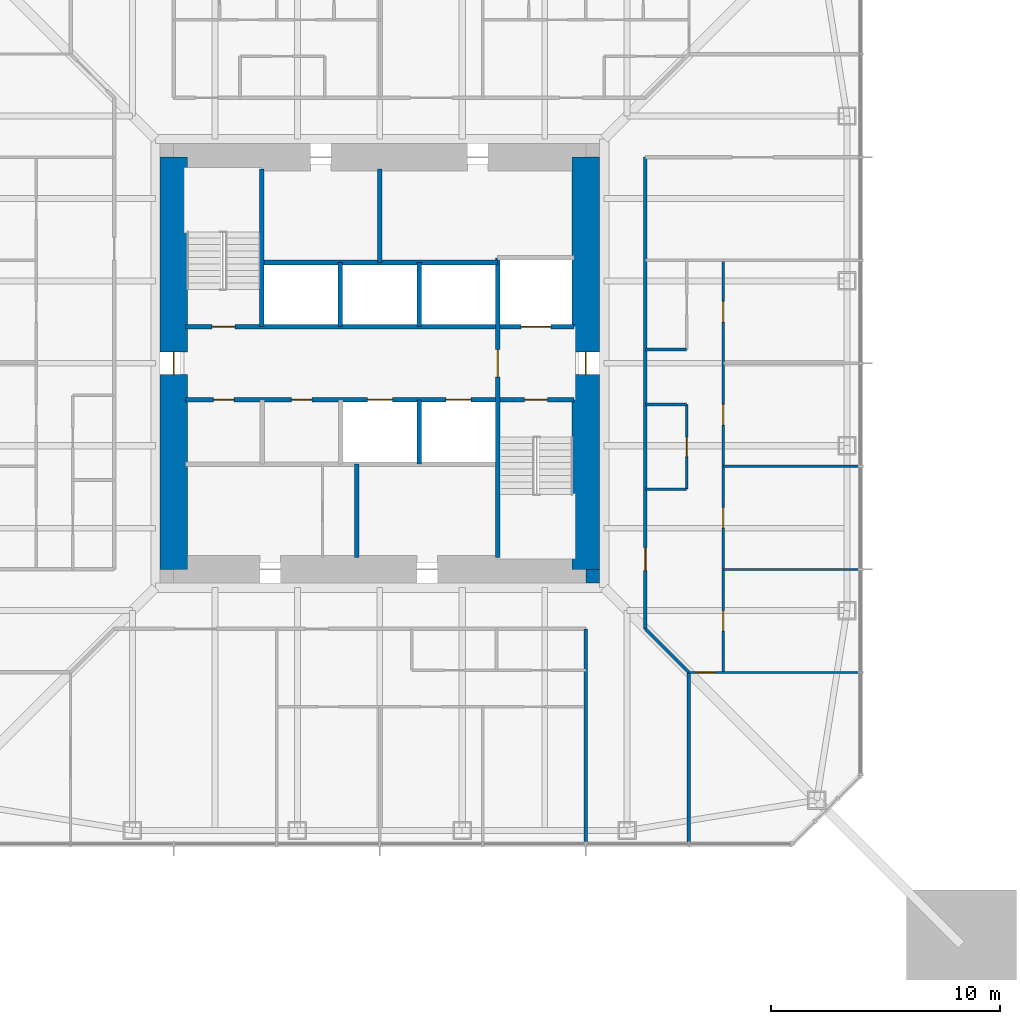
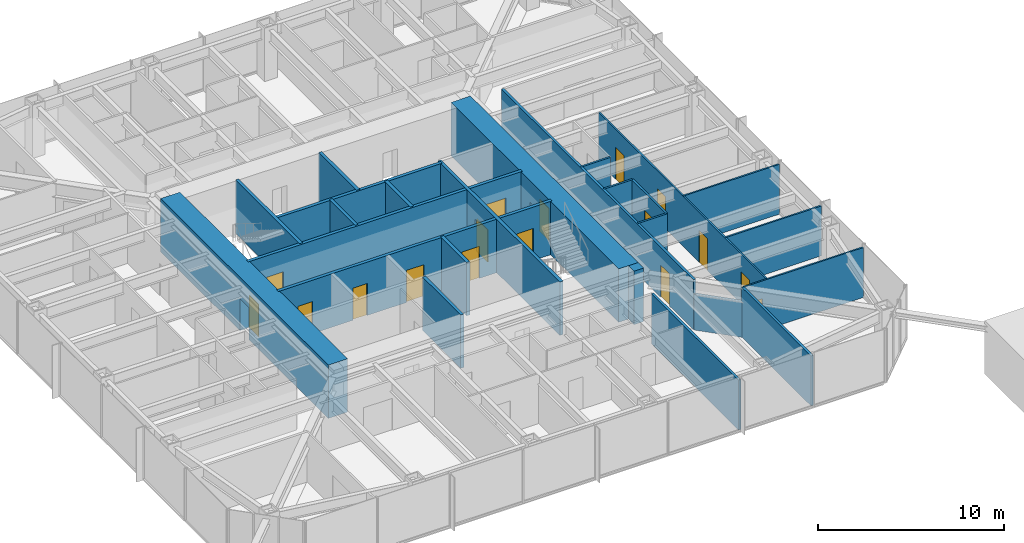
# One storey, part 14 of 25: 25 walls, 17 doors, 17 openings.
"""IFC4 building model written with IfcOpenShell, lengths in metres."""

from ifc_helpers import new_model, si_unit, direction, frame, frame_2d, origin, place, context, subcontext, project, spatial, rectangle, extrude, material, layer, layer_set, type_object, element, fill, save


model = new_model("IFC4")

# Units and contexts
model_context = context("Model", 3, precision=1e-05, world=origin(), true_north=direction((0.0, 1.0)))
body_context = subcontext(model_context, "Body", "Model", "MODEL_VIEW")
ifc_project = project(units=[si_unit("LENGTHUNIT", "METRE"), si_unit("AREAUNIT", "SQUARE_METRE"), si_unit("VOLUMEUNIT", "CUBIC_METRE"), si_unit("PLANEANGLEUNIT", "RADIAN"), si_unit("MASSUNIT", "GRAM", prefix="KILO")], contexts=[model_context])

# Site, building, storey
site_placement = place(None, origin())
site = spatial("IfcSite", under=ifc_project, at=site_placement, CompositionType="ELEMENT")
building_placement = place(site_placement, origin())
building = spatial("IfcBuilding", under=site, at=building_placement, Name="Iwan Alto Co-Living Towers", CompositionType="ELEMENT")
storey_placement = place(building_placement, frame((0.0, 0.0, 108.5)))
storey = spatial("IfcBuildingStorey", under=building, at=storey_placement, Name="L29", CompositionType="ELEMENT", Elevation=108.5)

# Wall
ifc_material_1 = material(Name="Gypsum board")
ifc_layer_1 = layer(ifc_material_1, 0.02490234375, Name="Board", Category="Finish")
ifc_material_2 = material(Name="Steel ASTM A1003 ST33H cold-formed studs", Category="steel")
ifc_layer_2 = layer(ifc_material_2, 0.10009765625, Name="Studs", Category="Framing")
ifc_layer_3 = layer(ifc_material_1, 0.02490234375, Name="Board", Category="Finish")
ifc_layer_set_1 = layer_set([ifc_layer_1, ifc_layer_2, ifc_layer_3], Name="CORRIDOR WALL 150")
wall_type_1 = type_object("IfcWallType", Name="CORRIDOR WALL 150", PredefinedType="PARTITIONING", material=ifc_layer_set_1)
wall_1_placement = place(storey_placement, frame((13.5, -20.93994140625, 0.0), z_axis=(0.0, 0.0, 1.0), x_axis=(0.0, 1.0, 0.0)))
element("IfcWall", 1, at=wall_1_placement, inside=storey, type_object=wall_type_1, Name="Partition L29", PredefinedType="PARTITIONING", context=body_context, shape_type="SweptSolid", body=[
    extrude(rectangle(XDim=7.43994140625, YDim=0.14990234375, at=frame_2d((3.719970703125, 0.0))), origin(), (0.0, 0.0, 1.0), 3.27001953125),
])

# Wall, opening, door
wall_2_placement = place(storey_placement, frame((11.60009765625, -11.60009765625, 0.0), z_axis=(0.0, 0.0, 1.0), x_axis=(0.0, 1.0, 0.0)))
wall_2 = element("IfcWall", 2, at=wall_2_placement, inside=storey, type_object=wall_type_1, Name="Partition L29", PredefinedType="PARTITIONING", context=body_context, shape_type="SweptSolid", body=[
    extrude(rectangle(XDim=20.60009765625, YDim=0.14990234375, at=frame_2d((10.300048828125, 0.0))), origin(), (0.0, 0.0, 1.0), 3.27001953125),
])
opening_1_placement = place(wall_2_placement, frame((2.550048828125, 0.0, 0.0)))
opening_1 = element("IfcOpeningElement", 3, at=opening_1_placement, cuts=wall_2, Name="Opening D3", PredefinedType="OPENING", context=body_context, shape_type="SweptSolid", body=[
    extrude(rectangle(XDim=1.0, YDim=2.10009765625, at=frame_2d((0.5, 1.050048828125))), frame((0.0, 0.0849609375, 0.0), z_axis=(0.0, -1.0, 0.0), x_axis=(1.0, 0.0, 0.0)), (0.0, 0.0, 1.0), 0.169921875),
])
ifc_material_3 = material(Name="Steel frame with timber leaf", Category="steel")
door_type_1 = type_object("IfcDoorType", Name="FLAT ENTRANCE DOOR FD30S 1000X2100", OperationType="SINGLE_SWING_LEFT", PredefinedType="DOOR", material=ifc_material_3)
door_1_placement = place(opening_1_placement, frame((1.0, 0.0, 0.0), z_axis=(0.0, 0.0, 1.0), x_axis=(-1.0, 0.0, 0.0)))
door_1 = element("IfcDoor", 4, at=door_1_placement, inside=storey, type_object=door_type_1, Name="Cluster lounge door L29", OperationType="SINGLE_SWING_LEFT", OverallHeight=2.10009765625, OverallWidth=1.0, PredefinedType="DOOR", context=body_context, shape_type="SweptSolid", body=[
    extrude(rectangle(XDim=1.0, YDim=2.10009765625, at=frame_2d((0.5, 1.050048828125))), frame((0.0, 0.02490234375, 0.0), z_axis=(0.0, -1.0, 0.0), x_axis=(1.0, 0.0, 0.0)), (0.0, 0.0, 1.0), 0.050048828125),
])
fill(opening_1, door_1)

# Walls
wall_3_placement = place(storey_placement, frame((9.0, -20.93994140625, 0.0), z_axis=(0.0, 0.0, 1.0), x_axis=(0.0, 1.0, 0.0)))
element("IfcWall", 5, at=wall_3_placement, inside=storey, type_object=wall_type_1, Name="Partition L29", PredefinedType="PARTITIONING", context=body_context, shape_type="SweptSolid", body=[
    extrude(rectangle(XDim=9.33984375, YDim=0.14990234375, at=frame_2d((4.669921875, 0.0))), origin(), (0.0, 0.0, 1.0), 3.27001953125),
])
wall_4_placement = place(storey_placement, frame((13.5, -13.5, 0.0), z_axis=(0.0, 0.0, 1.0), x_axis=(-0.707106781187, 0.707106781187, 0.0)))
element("IfcWall", 6, at=wall_4_placement, inside=storey, type_object=wall_type_1, Name="Partition L29", PredefinedType="PARTITIONING", context=body_context, shape_type="SweptSolid", body=[
    extrude(rectangle(XDim=2.686767578125, YDim=0.14990234375, at=frame_2d((1.34326171875, 0.0))), origin(), (0.0, 0.0, 1.0), 2.343017578125),
])

# Wall, opening, door
ifc_layer_4 = layer(ifc_material_1, 0.012451171875, Name="Board", Category="Finish")
ifc_layer_5 = layer(ifc_material_2, 0.074951171875, Name="Studs", Category="Framing")
ifc_layer_6 = layer(ifc_material_1, 0.012451171875, Name="Board", Category="Finish")
ifc_layer_set_2 = layer_set([ifc_layer_4, ifc_layer_5, ifc_layer_6], Name="PARTITION 100")
wall_type_2 = type_object("IfcWallType", Name="PARTITION 100", PredefinedType="PARTITIONING", material=ifc_layer_set_2)
wall_5_placement = place(storey_placement, frame((13.5, -13.5, 0.0), z_axis=(0.0, 0.0, 1.0), x_axis=(1.0, 0.0, 0.0)))
wall_5 = element("IfcWall", 7, at=wall_5_placement, inside=storey, type_object=wall_type_2, Name="Partition L29", PredefinedType="PARTITIONING", context=body_context, shape_type="SweptSolid", body=[
    extrude(rectangle(XDim=7.43994140625, YDim=0.10009765625, at=frame_2d((3.719970703125, 0.0))), origin(), (0.0, 0.0, 1.0), 3.27001953125),
])
opening_2_placement = place(wall_5_placement, frame((0.324951171875, 0.0, 0.0)))
opening_2 = element("IfcOpeningElement", 8, at=opening_2_placement, cuts=wall_5, Name="Opening D2", PredefinedType="OPENING", context=body_context, shape_type="SweptSolid", body=[
    extrude(rectangle(XDim=0.85009765625, YDim=2.10009765625, at=frame_2d((0.425048828125, 1.050048828125))), frame((0.0, 0.06005859375, 0.0), z_axis=(0.0, -1.0, 0.0), x_axis=(1.0, 0.0, 0.0)), (0.0, 0.0, 1.0), 0.1201171875),
])
ifc_material_4 = material(Name="Timber leaf in steel frame", Category="steel")
door_type_2 = type_object("IfcDoorType", Name="ROOM DOOR 850X2100", OperationType="SINGLE_SWING_LEFT", PredefinedType="DOOR", material=ifc_material_4)
door_2_placement = place(opening_2_placement, frame((0.85009765625, 0.0, 0.0), z_axis=(0.0, 0.0, 1.0), x_axis=(-1.0, 0.0, 0.0)))
door_2 = element("IfcDoor", 9, at=door_2_placement, inside=storey, type_object=door_type_2, Name="Shared kitchen and lounge door L29", OperationType="SINGLE_SWING_RIGHT", OverallHeight=2.10009765625, OverallWidth=0.85009765625, PredefinedType="DOOR", context=body_context, shape_type="SweptSolid", body=[
    extrude(rectangle(XDim=0.85009765625, YDim=2.10009765625, at=frame_2d((0.425048828125, 1.050048828125))), frame((0.0, 0.02490234375, 0.0), z_axis=(0.0, -1.0, 0.0), x_axis=(1.0, 0.0, 0.0)), (0.0, 0.0, 1.0), 0.050048828125),
])
fill(opening_2, door_2)

# Walls
for number, where, z_axis, x_axis, name in (
    (10, (15.0, -9.0, 0.0), (0.0, 0.0, 1.0), (1.0, 0.0, 0.0), "Partition L29"),
    (11, (15.0, -4.5, 0.0), (0.0, 0.0, 1.0), (1.0, 0.0, 0.0), "Partition L29"),
):
    element("IfcWall", number, at=place(storey_placement, frame(where, z_axis=z_axis, x_axis=x_axis)), inside=storey, type_object=wall_type_2, Name=name, PredefinedType="PARTITIONING", context=body_context, shape_type="SweptSolid", body=[
        extrude(rectangle(XDim=5.93994140625, YDim=0.10009765625, at=frame_2d((2.969970703125, 0.0))), origin(), (0.0, 0.0, 1.0), 3.27001953125),
    ])

# Wall, openings, doors
wall_6_placement = place(storey_placement, frame((15.0, -13.5, 0.0), z_axis=(0.0, 0.0, 1.0), x_axis=(0.0, 1.0, 0.0)))
wall_6 = element("IfcWall", 12, at=wall_6_placement, inside=storey, type_object=wall_type_2, Name="Partition L29", PredefinedType="PARTITIONING", context=body_context, shape_type="SweptSolid", body=[
    extrude(rectangle(XDim=18.0, YDim=0.10009765625, at=frame_2d((9.0, 0.0))), origin(), (0.0, 0.0, 1.0), 3.27001953125),
])
opening_3_placement = place(wall_6_placement, frame((1.800048828125, 0.0, 0.0)))
opening_3 = element("IfcOpeningElement", 13, at=opening_3_placement, cuts=wall_6, Name="Opening D1", PredefinedType="OPENING", context=body_context, shape_type="SweptSolid", body=[
    extrude(rectangle(XDim=0.89990234375, YDim=2.10009765625, at=frame_2d((0.449951171875, 1.050048828125))), frame((0.0, 0.06005859375, 0.0), z_axis=(0.0, -1.0, 0.0), x_axis=(1.0, 0.0, 0.0)), (0.0, 0.0, 1.0), 0.1201171875),
])
opening_4_placement = place(wall_6_placement, frame((6.300048828125, 0.0, 0.0)))
opening_4 = element("IfcOpeningElement", 14, at=opening_4_placement, cuts=wall_6, Name="Opening D1", PredefinedType="OPENING", context=body_context, shape_type="SweptSolid", body=[
    extrude(rectangle(XDim=0.89990234375, YDim=2.10009765625, at=frame_2d((0.449951171875, 1.050048828125))), frame((0.0, 0.06005859375, 0.0), z_axis=(0.0, -1.0, 0.0), x_axis=(1.0, 0.0, 0.0)), (0.0, 0.0, 1.0), 0.1201171875),
])
opening_5_placement = place(wall_6_placement, frame((10.800048828125, 0.0, 0.0)))
opening_5 = element("IfcOpeningElement", 15, at=opening_5_placement, cuts=wall_6, Name="Opening D1", PredefinedType="OPENING", context=body_context, shape_type="SweptSolid", body=[
    extrude(rectangle(XDim=0.89990234375, YDim=2.10009765625, at=frame_2d((0.449951171875, 1.050048828125))), frame((0.0, 0.06005859375, 0.0), z_axis=(0.0, -1.0, 0.0), x_axis=(1.0, 0.0, 0.0)), (0.0, 0.0, 1.0), 0.1201171875),
])
opening_6_placement = place(wall_6_placement, frame((15.300048828125, 0.0, 0.0)))
opening_6 = element("IfcOpeningElement", 16, at=opening_6_placement, cuts=wall_6, Name="Opening D1", PredefinedType="OPENING", context=body_context, shape_type="SweptSolid", body=[
    extrude(rectangle(XDim=0.89990234375, YDim=2.10009765625, at=frame_2d((0.449951171875, 1.050048828125))), frame((0.0, 0.06005859375, 0.0), z_axis=(0.0, -1.0, 0.0), x_axis=(1.0, 0.0, 0.0)), (0.0, 0.0, 1.0), 0.1201171875),
])
ifc_material_5 = material(Name="Timber leaf in steel frame", Category="steel")
door_type_3 = type_object("IfcDoorType", Name="BEDROOM DOOR 900X2100", OperationType="SINGLE_SWING_LEFT", PredefinedType="DOOR", material=ifc_material_5)
door_3_placement = place(opening_3_placement, origin())
door_3 = element("IfcDoor", 17, at=door_3_placement, inside=storey, type_object=door_type_3, Name="Study bedroom door L29", OperationType="SINGLE_SWING_LEFT", OverallHeight=2.10009765625, OverallWidth=0.89990234375, PredefinedType="DOOR", context=body_context, shape_type="SweptSolid", body=[
    extrude(rectangle(XDim=0.89990234375, YDim=2.10009765625, at=frame_2d((0.449951171875, 1.050048828125))), frame((0.0, 0.02490234375, 0.0), z_axis=(0.0, -1.0, 0.0), x_axis=(1.0, 0.0, 0.0)), (0.0, 0.0, 1.0), 0.050048828125),
])
fill(opening_3, door_3)
door_4_placement = place(opening_4_placement, origin())
door_4 = element("IfcDoor", 18, at=door_4_placement, inside=storey, type_object=door_type_3, Name="Study bedroom door L29", OperationType="SINGLE_SWING_LEFT", OverallHeight=2.10009765625, OverallWidth=0.89990234375, PredefinedType="DOOR", context=body_context, shape_type="SweptSolid", body=[
    extrude(rectangle(XDim=0.89990234375, YDim=2.10009765625, at=frame_2d((0.449951171875, 1.050048828125))), frame((0.0, 0.02490234375, 0.0), z_axis=(0.0, -1.0, 0.0), x_axis=(1.0, 0.0, 0.0)), (0.0, 0.0, 1.0), 0.050048828125),
])
fill(opening_4, door_4)
door_5_placement = place(opening_5_placement, origin())
door_5 = element("IfcDoor", 19, at=door_5_placement, inside=storey, type_object=door_type_3, Name="Study bedroom door L29", OperationType="SINGLE_SWING_RIGHT", OverallHeight=2.10009765625, OverallWidth=0.89990234375, PredefinedType="DOOR", context=body_context, shape_type="SweptSolid", body=[
    extrude(rectangle(XDim=0.89990234375, YDim=2.10009765625, at=frame_2d((0.449951171875, 1.050048828125))), frame((0.0, 0.02490234375, 0.0), z_axis=(0.0, -1.0, 0.0), x_axis=(1.0, 0.0, 0.0)), (0.0, 0.0, 1.0), 0.050048828125),
])
fill(opening_5, door_5)
door_6_placement = place(opening_6_placement, origin())
door_6 = element("IfcDoor", 20, at=door_6_placement, inside=storey, type_object=door_type_3, Name="Study bedroom door L29", OperationType="SINGLE_SWING_RIGHT", OverallHeight=2.10009765625, OverallWidth=0.89990234375, PredefinedType="DOOR", context=body_context, shape_type="SweptSolid", body=[
    extrude(rectangle(XDim=0.89990234375, YDim=2.10009765625, at=frame_2d((0.449951171875, 1.050048828125))), frame((0.0, 0.02490234375, 0.0), z_axis=(0.0, -1.0, 0.0), x_axis=(1.0, 0.0, 0.0)), (0.0, 0.0, 1.0), 0.050048828125),
])
fill(opening_6, door_6)

ifc_material_6 = material(Name="Concrete f'c 70 MPa", Category="concrete")
ifc_layer_7 = layer(ifc_material_6, 0.199951171875)
ifc_layer_set_3 = layer_set([ifc_layer_7], Name="SHAFT WALL 200")
wall_type_3 = type_object("IfcWallType", Name="SHAFT WALL 200", PredefinedType="SOLIDWALL", material=ifc_layer_set_3)
wall_7_placement = place(storey_placement, frame((-8.489990234375, -1.60009765625, 0.0), z_axis=(0.0, 0.0, 1.0), x_axis=(1.0, 0.0, 0.0)))
wall_7 = element("IfcWall", 21, at=wall_7_placement, inside=storey, type_object=wall_type_3, Name="Shaft wall L29", PredefinedType="SOLIDWALL", context=body_context, shape_type="SweptSolid", body=[
    extrude(rectangle(XDim=16.97998046875, YDim=0.199951171875, at=frame_2d((8.489990234375, 0.0))), origin(), (0.0, 0.0, 1.0), 3.5),
])
opening_7_placement = place(wall_7_placement, frame((14.81005859375, 0.0, 0.0)))
opening_7 = element("IfcOpeningElement", 22, at=opening_7_placement, cuts=wall_7, Name="Opening D5", PredefinedType="OPENING", context=body_context, shape_type="SweptSolid", body=[
    extrude(rectangle(XDim=1.0, YDim=2.10009765625, at=frame_2d((0.5, 1.050048828125))), frame((0.0, 0.10986328125, 0.0), z_axis=(0.0, -1.0, 0.0), x_axis=(1.0, 0.0, 0.0)), (0.0, 0.0, 1.0), 0.219970703125),
])
opening_8_placement = place(wall_7_placement, frame((1.23193359375, 0.0, 0.0)))
opening_8 = element("IfcOpeningElement", 23, at=opening_8_placement, cuts=wall_7, Name="Opening D15", PredefinedType="OPENING", context=body_context, shape_type="SweptSolid", body=[
    extrude(rectangle(XDim=0.89990234375, YDim=2.10009765625, at=frame_2d((0.449951171875, 1.050048828125))), frame((0.0, 0.10986328125, 0.0), z_axis=(0.0, -1.0, 0.0), x_axis=(1.0, 0.0, 0.0)), (0.0, 0.0, 1.0), 0.219970703125),
])
opening_9_placement = place(wall_7_placement, frame((4.626953125, 0.0, 0.0)))
opening_9 = element("IfcOpeningElement", 24, at=opening_9_placement, cuts=wall_7, Name="Opening D15", PredefinedType="OPENING", context=body_context, shape_type="SweptSolid", body=[
    extrude(rectangle(XDim=0.89990234375, YDim=2.10009765625, at=frame_2d((0.449951171875, 1.050048828125))), frame((0.0, 0.10986328125, 0.0), z_axis=(0.0, -1.0, 0.0), x_axis=(1.0, 0.0, 0.0)), (0.0, 0.0, 1.0), 0.219970703125),
])
opening_10_placement = place(wall_7_placement, frame((7.952880859375, 0.0, 0.0)))
opening_10 = element("IfcOpeningElement", 25, at=opening_10_placement, cuts=wall_7, Name="Opening LD", PredefinedType="OPENING", context=body_context, shape_type="SweptSolid", body=[
    extrude(rectangle(XDim=1.10009765625, YDim=2.10009765625, at=frame_2d((0.550048828125, 1.050048828125))), frame((0.0, 0.10986328125, 0.0), z_axis=(0.0, -1.0, 0.0), x_axis=(1.0, 0.0, 0.0)), (0.0, 0.0, 1.0), 0.219970703125),
])
opening_11_placement = place(wall_7_placement, frame((11.3779296875, 0.0, 0.0)))
opening_11 = element("IfcOpeningElement", 26, at=opening_11_placement, cuts=wall_7, Name="Opening LD", PredefinedType="OPENING", context=body_context, shape_type="SweptSolid", body=[
    extrude(rectangle(XDim=1.10009765625, YDim=2.10009765625, at=frame_2d((0.550048828125, 1.050048828125))), frame((0.0, 0.10986328125, 0.0), z_axis=(0.0, -1.0, 0.0), x_axis=(1.0, 0.0, 0.0)), (0.0, 0.0, 1.0), 0.219970703125),
])
ifc_material_7 = material(Name="Steel frame with timber leaf", Category="steel")
door_type_4 = type_object("IfcDoorType", Name="CORE ROOM DOOR FD60S 900X2100", OperationType="SINGLE_SWING_LEFT", PredefinedType="DOOR", material=ifc_material_7)
door_7_placement = place(opening_8_placement, frame((0.89990234375, 0.0, 0.0), z_axis=(0.0, 0.0, 1.0), x_axis=(-1.0, 0.0, 0.0)))
door_7 = element("IfcDoor", 27, at=door_7_placement, inside=storey, type_object=door_type_4, Name="Comms room door L29", OperationType="SINGLE_SWING_LEFT", OverallHeight=2.10009765625, OverallWidth=0.89990234375, PredefinedType="DOOR", context=body_context, shape_type="SweptSolid", body=[
    extrude(rectangle(XDim=0.89990234375, YDim=2.10009765625, at=frame_2d((0.449951171875, 1.050048828125))), frame((0.0, 0.02490234375, 0.0), z_axis=(0.0, -1.0, 0.0), x_axis=(1.0, 0.0, 0.0)), (0.0, 0.0, 1.0), 0.050048828125),
])
fill(opening_8, door_7)
door_8_placement = place(opening_9_placement, frame((0.89990234375, 0.0, 0.0), z_axis=(0.0, 0.0, 1.0), x_axis=(-1.0, 0.0, 0.0)))
door_8 = element("IfcDoor", 28, at=door_8_placement, inside=storey, type_object=door_type_4, Name="Bulk store door L29", OperationType="SINGLE_SWING_RIGHT", OverallHeight=2.10009765625, OverallWidth=0.89990234375, PredefinedType="DOOR", context=body_context, shape_type="SweptSolid", body=[
    extrude(rectangle(XDim=0.89990234375, YDim=2.10009765625, at=frame_2d((0.449951171875, 1.050048828125))), frame((0.0, 0.02490234375, 0.0), z_axis=(0.0, -1.0, 0.0), x_axis=(1.0, 0.0, 0.0)), (0.0, 0.0, 1.0), 0.050048828125),
])
fill(opening_9, door_8)
ifc_material_8 = material(Name="Steel frame with timber leaf", Category="steel")
door_type_5 = type_object("IfcDoorType", Name="LIFT LANDING DOOR 1100X2100", OperationType="DOUBLE_DOOR_SLIDING", PredefinedType="DOOR", material=ifc_material_8)
door_9_placement = place(opening_10_placement, origin())
door_9 = element("IfcDoor", 29, at=door_9_placement, inside=storey, type_object=door_type_5, Name="Lift P2-3 landing door L29", OperationType="DOUBLE_DOOR_SLIDING", OverallHeight=2.10009765625, OverallWidth=1.10009765625, PredefinedType="DOOR", context=body_context, shape_type="SweptSolid", body=[
    extrude(rectangle(XDim=1.10009765625, YDim=2.10009765625, at=frame_2d((0.550048828125, 1.050048828125))), frame((0.0, 0.02490234375, 0.0), z_axis=(0.0, -1.0, 0.0), x_axis=(1.0, 0.0, 0.0)), (0.0, 0.0, 1.0), 0.050048828125),
])
fill(opening_10, door_9)
door_10_placement = place(opening_11_placement, origin())
door_10 = element("IfcDoor", 30, at=door_10_placement, inside=storey, type_object=door_type_5, Name="Lift P2-4 landing door L29", OperationType="DOUBLE_DOOR_SLIDING", OverallHeight=2.10009765625, OverallWidth=1.10009765625, PredefinedType="DOOR", context=body_context, shape_type="SweptSolid", body=[
    extrude(rectangle(XDim=1.10009765625, YDim=2.10009765625, at=frame_2d((0.550048828125, 1.050048828125))), frame((0.0, 0.02490234375, 0.0), z_axis=(0.0, -1.0, 0.0), x_axis=(1.0, 0.0, 0.0)), (0.0, 0.0, 1.0), 0.050048828125),
])
fill(opening_11, door_10)
ifc_material_9 = material(Name="Steel frame with timber leaf", Category="steel")
door_type_6 = type_object("IfcDoorType", Name="STAIR DOOR FD120S 1000X2100", OperationType="SINGLE_SWING_LEFT", PredefinedType="DOOR", material=ifc_material_9)
door_11_placement = place(opening_7_placement, frame((1.0, 0.0, 0.0), z_axis=(0.0, 0.0, 1.0), x_axis=(-1.0, 0.0, 0.0)))
door_11 = element("IfcDoor", 31, at=door_11_placement, inside=storey, type_object=door_type_6, Name="Stair S2 door L29", OperationType="SINGLE_SWING_RIGHT", OverallHeight=2.10009765625, OverallWidth=1.0, PredefinedType="DOOR", context=body_context, shape_type="SweptSolid", body=[
    extrude(rectangle(XDim=1.0, YDim=2.10009765625, at=frame_2d((0.5, 1.050048828125))), frame((0.0, 0.02490234375, 0.0), z_axis=(0.0, -1.0, 0.0), x_axis=(1.0, 0.0, 0.0)), (0.0, 0.0, 1.0), 0.050048828125),
])
fill(opening_7, door_11)

wall_8_placement = place(storey_placement, frame((-8.489990234375, 1.60009765625, 0.0), z_axis=(0.0, 0.0, 1.0), x_axis=(1.0, 0.0, 0.0)))
wall_8 = element("IfcWall", 32, at=wall_8_placement, inside=storey, type_object=wall_type_3, Name="Shaft wall L29", PredefinedType="SOLIDWALL", context=body_context, shape_type="SweptSolid", body=[
    extrude(rectangle(XDim=16.97998046875, YDim=0.199951171875, at=frame_2d((8.489990234375, 0.0))), origin(), (0.0, 0.0, 1.0), 3.5),
])
opening_12_placement = place(wall_8_placement, frame((1.169921875, 0.0, 0.0)))
opening_12 = element("IfcOpeningElement", 33, at=opening_12_placement, cuts=wall_8, Name="Opening D5", PredefinedType="OPENING", context=body_context, shape_type="SweptSolid", body=[
    extrude(rectangle(XDim=1.0, YDim=2.10009765625, at=frame_2d((0.5, 1.050048828125))), frame((0.0, 0.10986328125, 0.0), z_axis=(0.0, -1.0, 0.0), x_axis=(1.0, 0.0, 0.0)), (0.0, 0.0, 1.0), 0.219970703125),
])
opening_13_placement = place(wall_8_placement, frame((14.659912109375, 0.0, 0.0)))
opening_13 = element("IfcOpeningElement", 34, at=opening_13_placement, cuts=wall_8, Name="Opening LD2", PredefinedType="OPENING", context=body_context, shape_type="SweptSolid", body=[
    extrude(rectangle(XDim=1.300048828125, YDim=2.10009765625, at=frame_2d((0.64990234375, 1.050048828125))), frame((0.0, 0.10986328125, 0.0), z_axis=(0.0, -1.0, 0.0), x_axis=(1.0, 0.0, 0.0)), (0.0, 0.0, 1.0), 0.219970703125),
])
ifc_material_10 = material(Name="Steel frame with timber leaf", Category="steel")
door_type_7 = type_object("IfcDoorType", Name="LIFT LANDING DOOR 1300X2100", OperationType="SLIDING_TO_LEFT", PredefinedType="DOOR", material=ifc_material_10)
door_12_placement = place(opening_13_placement, origin())
door_12 = element("IfcDoor", 35, at=door_12_placement, inside=storey, type_object=door_type_7, Name="Lift FL1 landing door L29", OperationType="SLIDING_TO_LEFT", OverallHeight=2.10009765625, OverallWidth=1.300048828125, PredefinedType="DOOR", context=body_context, shape_type="SweptSolid", body=[
    extrude(rectangle(XDim=1.300048828125, YDim=2.10009765625, at=frame_2d((0.64990234375, 1.050048828125))), frame((0.0, 0.02490234375, 0.0), z_axis=(0.0, -1.0, 0.0), x_axis=(1.0, 0.0, 0.0)), (0.0, 0.0, 1.0), 0.050048828125),
])
fill(opening_13, door_12)
door_13_placement = place(opening_12_placement, origin())
door_13 = element("IfcDoor", 36, at=door_13_placement, inside=storey, type_object=door_type_6, Name="Stair S1 door L29", OperationType="SINGLE_SWING_RIGHT", OverallHeight=2.10009765625, OverallWidth=1.0, PredefinedType="DOOR", context=body_context, shape_type="SweptSolid", body=[
    extrude(rectangle(XDim=1.0, YDim=2.10009765625, at=frame_2d((0.5, 1.050048828125))), frame((0.0, 0.02490234375, 0.0), z_axis=(0.0, -1.0, 0.0), x_axis=(1.0, 0.0, 0.0)), (0.0, 0.0, 1.0), 0.050048828125),
])
fill(opening_12, door_13)

# Wall
wall_9_placement = place(storey_placement, frame((-5.14990234375, 4.39990234375, 0.0), z_axis=(0.0, 0.0, 1.0), x_axis=(1.0, 0.0, 0.0)))
element("IfcWall", 37, at=wall_9_placement, inside=storey, type_object=wall_type_3, Name="Shaft wall L29", PredefinedType="SOLIDWALL", context=body_context, shape_type="SweptSolid", body=[
    extrude(rectangle(XDim=10.2998046875, YDim=0.199951171875, at=frame_2d((5.14990234375, 0.0))), origin(), (0.0, 0.0, 1.0), 3.5),
])

# Wall, opening, door
wall_10_placement = place(storey_placement, frame((5.14990234375, -8.489990234375, 0.0), z_axis=(0.0, 0.0, 1.0), x_axis=(0.0, 1.0, 0.0)))
wall_10 = element("IfcWall", 38, at=wall_10_placement, inside=storey, type_object=wall_type_3, Name="Shaft wall L29", PredefinedType="SOLIDWALL", context=body_context, shape_type="SweptSolid", body=[
    extrude(rectangle(XDim=13.090087890625, YDim=0.199951171875, at=frame_2d((6.544921875, 0.0))), origin(), (0.0, 0.0, 1.0), 3.5),
])
opening_14_placement = place(wall_10_placement, frame((7.889892578125, 0.0, 0.0)))
opening_14 = element("IfcOpeningElement", 39, at=opening_14_placement, cuts=wall_10, Name="Opening D6", PredefinedType="OPENING", context=body_context, shape_type="SweptSolid", body=[
    extrude(rectangle(XDim=1.199951171875, YDim=2.10009765625, at=frame_2d((0.60009765625, 1.050048828125))), frame((0.0, 0.10986328125, 0.0), z_axis=(0.0, -1.0, 0.0), x_axis=(1.0, 0.0, 0.0)), (0.0, 0.0, 1.0), 0.219970703125),
])
ifc_material_11 = material(Name="Steel frame with timber leaf", Category="steel")
door_type_8 = type_object("IfcDoorType", Name="LOBBY DOOR FD120S 1200X2100", OperationType="SINGLE_SWING_LEFT", PredefinedType="DOOR", material=ifc_material_11)
door_14_placement = place(opening_14_placement, frame((1.199951171875, 0.0, 0.0), z_axis=(0.0, 0.0, 1.0), x_axis=(-1.0, 0.0, 0.0)))
door_14 = element("IfcDoor", 40, at=door_14_placement, inside=storey, type_object=door_type_8, Name="Firefighting lobby door L29", OperationType="SINGLE_SWING_RIGHT", OverallHeight=2.10009765625, OverallWidth=1.199951171875, PredefinedType="DOOR", context=body_context, shape_type="SweptSolid", body=[
    extrude(rectangle(XDim=1.199951171875, YDim=2.10009765625, at=frame_2d((0.60009765625, 1.050048828125))), frame((0.0, 0.02490234375, 0.0), z_axis=(0.0, -1.0, 0.0), x_axis=(1.0, 0.0, 0.0)), (0.0, 0.0, 1.0), 0.050048828125),
])
fill(opening_14, door_14)

# Walls
for number, where, z_axis, x_axis, name in (
    (41, (1.72509765625, -4.39990234375, 0.0), (0.0, 0.0, 1.0), (0.0, 1.0, 0.0), "Shaft wall L29"),
    (42, (1.717041015625, 1.60009765625, 0.0), (0.0, 0.0, 1.0), (0.0, 1.0, 0.0), "Shaft wall L29"),
):
    element("IfcWall", number, at=place(storey_placement, frame(where, z_axis=z_axis, x_axis=x_axis)), inside=storey, type_object=wall_type_3, Name=name, PredefinedType="SOLIDWALL", context=body_context, shape_type="SweptSolid", body=[
        extrude(rectangle(XDim=2.7998046875, YDim=0.199951171875, at=frame_2d((1.39990234375, 0.0))), origin(), (0.0, 0.0, 1.0), 3.5),
    ])
for number, where, z_axis, x_axis, name in (
    (43, (0.0, 4.39990234375, 0.0), (0.0, 0.0, 1.0), (0.0, 1.0, 0.0), "Shaft wall L29"),
    (44, (-1.0, -8.489990234375, 0.0), (0.0, 0.0, 1.0), (0.0, 1.0, 0.0), "Shaft wall L29"),
):
    element("IfcWall", number, at=place(storey_placement, frame(where, z_axis=z_axis, x_axis=x_axis)), inside=storey, type_object=wall_type_3, Name=name, PredefinedType="SOLIDWALL", context=body_context, shape_type="SweptSolid", body=[
        extrude(rectangle(XDim=4.090087890625, YDim=0.199951171875, at=frame_2d((2.044921875, 0.0))), origin(), (0.0, 0.0, 1.0), 3.5),
    ])
wall_11_placement = place(storey_placement, frame((-1.717041015625, 1.60009765625, 0.0), z_axis=(0.0, 0.0, 1.0), x_axis=(0.0, 1.0, 0.0)))
element("IfcWall", 45, at=wall_11_placement, inside=storey, type_object=wall_type_3, Name="Shaft wall L29", PredefinedType="SOLIDWALL", context=body_context, shape_type="SweptSolid", body=[
    extrude(rectangle(XDim=2.7998046875, YDim=0.199951171875, at=frame_2d((1.39990234375, 0.0))), origin(), (0.0, 0.0, 1.0), 3.5),
])
wall_12_placement = place(storey_placement, frame((-5.14990234375, 1.60009765625, 0.0), z_axis=(0.0, 0.0, 1.0), x_axis=(0.0, 1.0, 0.0)))
element("IfcWall", 46, at=wall_12_placement, inside=storey, type_object=wall_type_3, Name="Shaft wall L29", PredefinedType="SOLIDWALL", context=body_context, shape_type="SweptSolid", body=[
    extrude(rectangle(XDim=6.889892578125, YDim=0.199951171875, at=frame_2d((3.44482421875, 0.0))), origin(), (0.0, 0.0, 1.0), 3.5),
])
ifc_material_12 = material(Name="Concrete f'c 70 MPa", Category="concrete")
ifc_layer_8 = layer(ifc_material_12, 0.60009765625)
ifc_layer_set_4 = layer_set([ifc_layer_8], Name="T1 CORE CORNER FILL 600")
wall_type_4 = type_object("IfcWallType", Name="T1 CORE CORNER FILL 600", PredefinedType="SOLIDWALL", material=ifc_layer_set_4)
wall_13_placement = place(storey_placement, frame((9.0, -9.300048828125, 0.0), z_axis=(0.0, 0.0, 1.0), x_axis=(1.0, 0.0, 0.0)))
element("IfcWall", 47, at=wall_13_placement, inside=storey, type_object=wall_type_4, Name="T1 core corner SE L29", PredefinedType="SOLIDWALL", context=body_context, shape_type="SweptSolid", body=[
    extrude(rectangle(XDim=0.60009765625, YDim=0.60009765625, at=frame_2d((0.300048828125, 0.0))), origin(), (0.0, 0.0, 1.0), 3.5),
])

# Wall, opening, door
ifc_material_13 = material(Name="Concrete f'c 70 MPa", Category="concrete")
ifc_layer_9 = layer(ifc_material_13, 1.199951171875)
ifc_layer_set_5 = layer_set([ifc_layer_9], Name="T1 CORE WALL 1200")
wall_type_5 = type_object("IfcWallType", Name="T1 CORE WALL 1200", PredefinedType="SHEAR", material=ifc_layer_set_5)
wall_14_placement = place(storey_placement, frame((9.0, -9.0, 0.0), z_axis=(0.0, 0.0, 1.0), x_axis=(0.0, 1.0, 0.0)))
wall_14 = element("IfcWall", 48, at=wall_14_placement, inside=storey, type_object=wall_type_5, Name="T1 core wall E L29", PredefinedType="SHEAR", context=body_context, shape_type="SweptSolid", body=[
    extrude(rectangle(XDim=18.0, YDim=1.199951171875, at=frame_2d((9.0, 0.0))), origin(), (0.0, 0.0, 1.0), 3.5),
])
opening_15_placement = place(wall_14_placement, frame((8.5, 0.0, 0.0)))
opening_15 = element("IfcOpeningElement", 49, at=opening_15_placement, cuts=wall_14, Name="Opening D7", PredefinedType="OPENING", context=body_context, shape_type="SweptSolid", body=[
    extrude(rectangle(XDim=1.0, YDim=2.10009765625, at=frame_2d((0.5, 1.050048828125))), frame((0.0, 0.60986328125, 0.0), z_axis=(0.0, -1.0, 0.0), x_axis=(1.0, 0.0, 0.0)), (0.0, 0.0, 1.0), 1.219970703125),
])
ifc_material_14 = material(Name="Steel frame with timber leaf", Category="steel")
door_type_9 = type_object("IfcDoorType", Name="CORE DOOR FD120S 1000X2100", OperationType="SINGLE_SWING_LEFT", PredefinedType="DOOR", material=ifc_material_14)
door_15_placement = place(opening_15_placement, origin())
door_15 = element("IfcDoor", 50, at=door_15_placement, inside=storey, type_object=door_type_9, Name="Firefighting lobby core door L29", OperationType="SINGLE_SWING_LEFT", OverallHeight=2.10009765625, OverallWidth=1.0, PredefinedType="DOOR", context=body_context, shape_type="SweptSolid", body=[
    extrude(rectangle(XDim=1.0, YDim=2.10009765625, at=frame_2d((0.5, 1.050048828125))), frame((0.0, 0.02490234375, 0.0), z_axis=(0.0, -1.0, 0.0), x_axis=(1.0, 0.0, 0.0)), (0.0, 0.0, 1.0), 0.050048828125),
])
fill(opening_15, door_15)

wall_15_placement = place(storey_placement, frame((-9.0, 9.0, 0.0), z_axis=(0.0, 0.0, 1.0), x_axis=(0.0, -1.0, 0.0)))
wall_15 = element("IfcWall", 51, at=wall_15_placement, inside=storey, type_object=wall_type_5, Name="T1 core wall W L29", PredefinedType="SHEAR", context=body_context, shape_type="SweptSolid", body=[
    extrude(rectangle(XDim=18.0, YDim=1.199951171875, at=frame_2d((9.0, 0.0))), origin(), (0.0, 0.0, 1.0), 3.5),
])
opening_16_placement = place(wall_15_placement, frame((8.5, 0.0, 0.0)))
opening_16 = element("IfcOpeningElement", 52, at=opening_16_placement, cuts=wall_15, Name="Opening D7", PredefinedType="OPENING", context=body_context, shape_type="SweptSolid", body=[
    extrude(rectangle(XDim=1.0, YDim=2.10009765625, at=frame_2d((0.5, 1.050048828125))), frame((0.0, 0.60986328125, 0.0), z_axis=(0.0, -1.0, 0.0), x_axis=(1.0, 0.0, 0.0)), (0.0, 0.0, 1.0), 1.219970703125),
])
door_16_placement = place(opening_16_placement, origin())
door_16 = element("IfcDoor", 53, at=door_16_placement, inside=storey, type_object=door_type_9, Name="Lift lobby core door L29", OperationType="SINGLE_SWING_RIGHT", OverallHeight=2.10009765625, OverallWidth=1.0, PredefinedType="DOOR", context=body_context, shape_type="SweptSolid", body=[
    extrude(rectangle(XDim=1.0, YDim=2.10009765625, at=frame_2d((0.5, 1.050048828125))), frame((0.0, 0.02490234375, 0.0), z_axis=(0.0, -1.0, 0.0), x_axis=(1.0, 0.0, 0.0)), (0.0, 0.0, 1.0), 0.050048828125),
])
fill(opening_16, door_16)

# Walls
ifc_material_15 = material(Name="Cement board")
ifc_layer_10 = layer(ifc_material_15, 0.012451171875, Name="Board", Category="Finish")
ifc_layer_11 = layer(ifc_material_2, 0.094970703125, Name="Studs", Category="Framing")
ifc_layer_12 = layer(ifc_material_15, 0.012451171875, Name="Board", Category="Finish")
ifc_layer_set_6 = layer_set([ifc_layer_10, ifc_layer_11, ifc_layer_12], Name="WET AREA PARTITION 120")
wall_type_6 = type_object("IfcWallType", Name="WET AREA PARTITION 120", PredefinedType="PARTITIONING", material=ifc_layer_set_6)
for number, where, z_axis, x_axis, name in (
    (54, (11.60009765625, -5.5, 0.0), (0.0, 0.0, 1.0), (1.0, 0.0, 0.0), "Partition L29"),
    (55, (11.60009765625, -1.800048828125, 0.0), (0.0, 0.0, 1.0), (1.0, 0.0, 0.0), "Partition L29"),
    (56, (11.60009765625, 0.60009765625, 0.0), (0.0, 0.0, 1.0), (1.0, 0.0, 0.0), "Partition L29"),
):
    element("IfcWall", number, at=place(storey_placement, frame(where, z_axis=z_axis, x_axis=x_axis)), inside=storey, type_object=wall_type_6, Name=name, PredefinedType="PARTITIONING", context=body_context, shape_type="SweptSolid", body=[
        extrude(rectangle(XDim=1.7998046875, YDim=0.1201171875, at=frame_2d((0.89990234375, 0.0))), origin(), (0.0, 0.0, 1.0), 3.27001953125),
    ])

# Wall, opening, door
wall_16_placement = place(storey_placement, frame((13.39990234375, -5.5, 0.0), z_axis=(0.0, 0.0, 1.0), x_axis=(0.0, 1.0, 0.0)))
wall_16 = element("IfcWall", 57, at=wall_16_placement, inside=storey, type_object=wall_type_6, Name="Partition L29", PredefinedType="PARTITIONING", context=body_context, shape_type="SweptSolid", body=[
    extrude(rectangle(XDim=3.699951171875, YDim=0.1201171875, at=frame_2d((1.85009765625, 0.0))), origin(), (0.0, 0.0, 1.0), 3.27001953125),
])
opening_17_placement = place(wall_16_placement, frame((1.425048828125, 0.0, 0.0)))
opening_17 = element("IfcOpeningElement", 58, at=opening_17_placement, cuts=wall_16, Name="Opening D2", PredefinedType="OPENING", context=body_context, shape_type="SweptSolid", body=[
    extrude(rectangle(XDim=0.85009765625, YDim=2.10009765625, at=frame_2d((0.425048828125, 1.050048828125))), frame((0.0, 0.070068359375, 0.0), z_axis=(0.0, -1.0, 0.0), x_axis=(1.0, 0.0, 0.0)), (0.0, 0.0, 1.0), 0.14013671875),
])
door_17_placement = place(opening_17_placement, frame((0.85009765625, 0.0, 0.0), z_axis=(0.0, 0.0, 1.0), x_axis=(-1.0, 0.0, 0.0)))
door_17 = element("IfcDoor", 59, at=door_17_placement, inside=storey, type_object=door_type_2, Name="Accessible bathroom door L29", OperationType="SINGLE_SWING_LEFT", OverallHeight=2.10009765625, OverallWidth=0.85009765625, PredefinedType="DOOR", context=body_context, shape_type="SweptSolid", body=[
    extrude(rectangle(XDim=0.85009765625, YDim=2.10009765625, at=frame_2d((0.425048828125, 1.050048828125))), frame((0.0, 0.02490234375, 0.0), z_axis=(0.0, -1.0, 0.0), x_axis=(1.0, 0.0, 0.0)), (0.0, 0.0, 1.0), 0.050048828125),
])
fill(opening_17, door_17)

save(model, "model.ifc")
